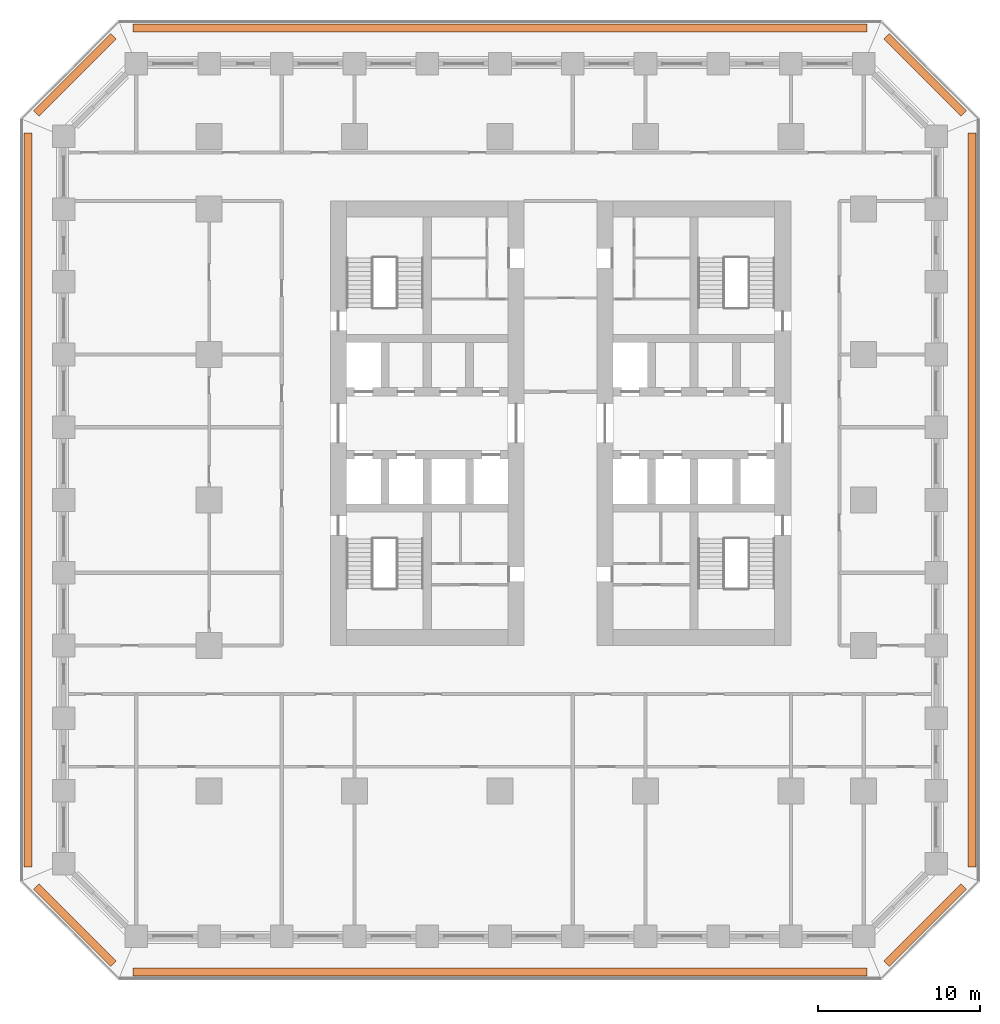
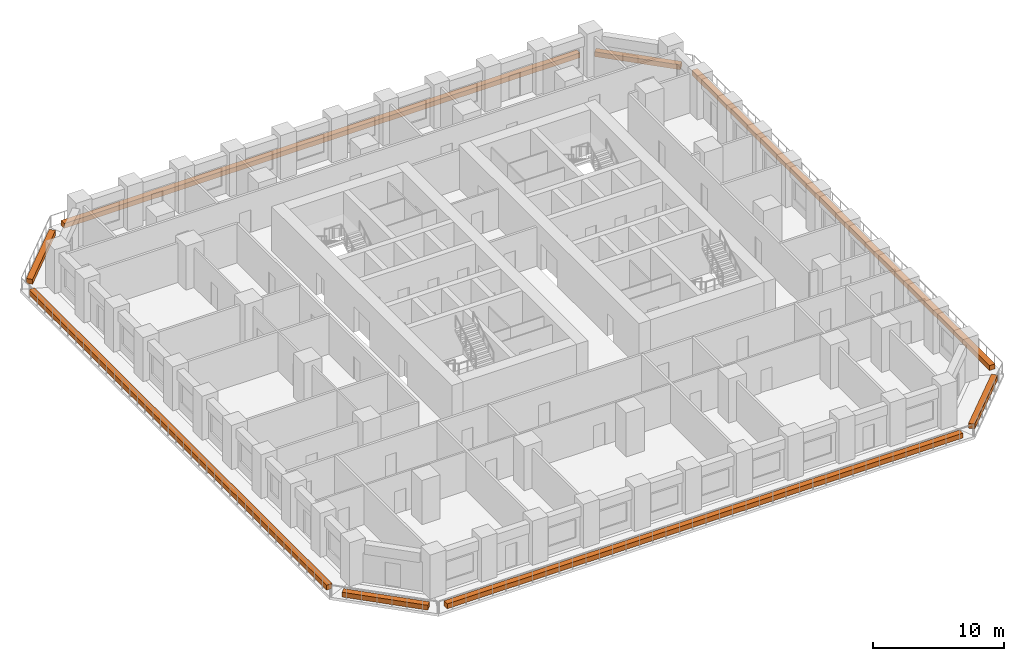
# One storey, part 12 of 12: 8 proxies.
"""IFC4 building model written with IfcOpenShell, lengths in metres."""

import ifcopenshell
import ifcopenshell.guid

model = None  # the IFC model being written
_history = None  # IfcOwnerHistory: only IFC2X3 demands one
_inside = {}  # id of a spatial element -> (the spatial element, [elements in it])
_under = {}  # id of a project, library or spatial element -> (it, [spatial elements below it])
_declared = {}  # id of a project -> (the project, [libraries it declares])
_typed = {}  # id of a type object -> (the type object, [elements of that type])
_made_of = {}  # id of a material, layer set ... -> (it, [elements and type objects made of it])


def new_model(schema):
    """Start an empty IFC model of exactly this schema.

    Asked for "IFC4X3", IfcOpenShell would pick the latest addendum, in which some entities
    have other attributes; the version numbers below select the first issue.
    IFC2X3 requires an IfcOwnerHistory on every rooted entity: one is made here for all.
    """
    global model, _history
    if schema == "IFC4X3":
        model = ifcopenshell.file(schema_version=(4, 3, 0, 0))
    else:
        model = ifcopenshell.file(schema=schema)
    _inside.clear()
    _under.clear()
    _declared.clear()
    _typed.clear()
    _made_of.clear()
    _history = None
    if model.schema == "IFC2X3":
        org = make("IfcOrganization", Name="unknown")
        user = make(
            "IfcPersonAndOrganization",
            ThePerson=make("IfcPerson", FamilyName="unknown"),
            TheOrganization=org,
        )
        app = make(
            "IfcApplication",
            ApplicationDeveloper=org,
            Version="unknown",
            ApplicationFullName="unknown",
            ApplicationIdentifier="unknown",
        )
        _history = make(
            "IfcOwnerHistory",
            OwningUser=user,
            OwningApplication=app,
            ChangeAction="ADDED",
            CreationDate=0,
        )
    return model


def make(cls, **values):
    """One entity of the class cls with the attributes given. An attribute that is None is left unset."""
    return model.create_entity(
        cls, **{name: value for name, value in values.items() if value is not None}
    )


def rooted(cls, **values):
    """An entity with a GlobalId (a new one), such as an element, a storey or a relation."""
    return make(cls, GlobalId=ifcopenshell.guid.new(), OwnerHistory=_history, **values)


def si_unit(unit_type, name, prefix=None):
    """IfcSIUnit, for example si_unit("LENGTHUNIT", "METRE", prefix="MILLI")."""
    return make("IfcSIUnit", UnitType=unit_type, Prefix=prefix, Name=name)


def assignment(units):
    """IfcUnitAssignment: the units of a project."""
    return None if units is None else make("IfcUnitAssignment", Units=units)


def point(xyz):
    """IfcCartesianPoint."""
    return None if xyz is None else make("IfcCartesianPoint", Coordinates=xyz)


def direction(xyz):
    """IfcDirection."""
    return None if xyz is None else make("IfcDirection", DirectionRatios=xyz)


def frame(location, z_axis=None, x_axis=None):
    """IfcAxis2Placement3D, a coordinate frame: its origin and axes. An axis left out is left unset."""
    return make(
        "IfcAxis2Placement3D",
        Location=point(location),
        Axis=direction(z_axis),
        RefDirection=direction(x_axis),
    )


def frame_2d(location, x_axis=None):
    """IfcAxis2Placement2D, a coordinate frame in the plane: its origin and x axis."""
    return make(
        "IfcAxis2Placement2D", Location=point(location), RefDirection=direction(x_axis)
    )


def origin():
    """The frame at (0, 0, 0) with its axes left unset."""
    return frame((0.0, 0.0, 0.0))


def origin_2d():
    """The frame at (0, 0) in the plane with its x axis left unset."""
    return frame_2d((0.0, 0.0))


def place(relative_to, where):
    """IfcLocalPlacement: puts the frame where relative to a parent placement (None: the world)."""
    return make(
        "IfcLocalPlacement", PlacementRelTo=relative_to, RelativePlacement=where
    )


def context(
    kind, dimensions, precision=None, world=None, true_north=None, identifier=None
):
    """IfcGeometricRepresentationContext, for example the 3D "Model" context."""
    return make(
        "IfcGeometricRepresentationContext",
        ContextIdentifier=identifier,
        ContextType=kind,
        CoordinateSpaceDimension=dimensions,
        Precision=precision,
        WorldCoordinateSystem=world,
        TrueNorth=true_north,
    )


def subcontext(parent, identifier, kind, view, scale=None):
    """IfcGeometricRepresentationSubContext, for example "Body" below "Model"."""
    return make(
        "IfcGeometricRepresentationSubContext",
        ContextIdentifier=identifier,
        ContextType=kind,
        ParentContext=parent,
        TargetScale=scale,
        TargetView=view,
    )


def project(units=None, contexts=None):
    """IfcProject with its units and contexts."""
    return rooted(
        "IfcProject",
        Name="project",
        RepresentationContexts=contexts,
        UnitsInContext=assignment(units),
    )


def spatial(cls, under=None, at=None, **own):
    """A site, building, storey or space (cls), placed at a placement, below another one or the project."""
    s = rooted(cls, ObjectPlacement=at, **own)
    if under is not None:
        _under.setdefault(under.id(), (under, []))[1].append(s)
    return s


def profile(cls, at=None, kind="AREA", **sizes):
    """A parametric profile (cls). Its sizes go by their IFC names, for example OverallWidth=200.0."""
    return make(cls, ProfileType=kind, Position=at, **sizes)


def rectangle(**sizes):
    """IfcRectangleProfileDef."""
    return profile("IfcRectangleProfileDef", **sizes)


def extrude(swept, where, along, depth):
    """IfcExtrudedAreaSolid: the profile swept, set in the frame where, extruded along a direction by depth."""
    return make(
        "IfcExtrudedAreaSolid",
        SweptArea=swept,
        Position=where,
        ExtrudedDirection=direction(along),
        Depth=depth,
    )


def shape(context_of_items, identifier, shape_type, items):
    """IfcShapeRepresentation: the items that make up one representation, for example the "Body"."""
    return make(
        "IfcShapeRepresentation",
        ContextOfItems=context_of_items,
        RepresentationIdentifier=identifier,
        RepresentationType=shape_type,
        Items=items,
    )


def material(Name=None, Category=None):
    """IfcMaterial."""
    return make("IfcMaterial", Name=Name, Category=Category)


def made_of(thing, what):
    """Note that an element or type object is made of a material, layer set ...; save() writes the relation."""
    if what is not None:
        _made_of.setdefault(what.id(), (what, []))[1].append(thing)
    return thing


def type_object(cls, material=None, **own):
    """A type object (cls), such as IfcWallType, which elements share."""
    return made_of(rooted(cls, **own), material)


def element(
    cls,
    number,
    at=None,
    inside=None,
    cuts=None,
    type_object=None,
    material=None,
    context=None,
    identifier="Body",
    shape_type=None,
    held_by="IfcProductDefinitionShape",
    body=None,
    shapes=None,
    **own,
):
    """One element of the class cls, such as IfcWall. Its Tag is "e" and its number.

    at: its placement. inside: the storey or other place that contains it. cuts: it is an
    opening in that element (IfcRelVoidsElement). A single representation is given by context,
    identifier, shape_type and body (its items); several are given by shapes. held_by: the class
    of the entity that holds the representations. save() writes the other relations.
    """
    e = rooted(cls, Tag="e%d" % number, ObjectPlacement=at, **own)
    if body is not None:
        shapes = [shape(context, identifier, shape_type, body)]
    if shapes is not None:
        e.Representation = make(held_by, Representations=shapes)
    if inside is not None:
        _inside.setdefault(inside.id(), (inside, []))[1].append(e)
    if cuts is not None:
        rooted(
            "IfcRelVoidsElement", RelatingBuildingElement=cuts, RelatedOpeningElement=e
        )
    if type_object is not None:
        _typed.setdefault(type_object.id(), (type_object, []))[1].append(e)
    return made_of(e, material)


def aggregate(whole, parts):
    """IfcRelAggregates: a whole, such as a stair, and the parts it consists of."""
    return rooted("IfcRelAggregates", RelatingObject=whole, RelatedObjects=parts)


def save(model, path):
    """Write the relations noted so far, then the file.

    IfcRelAggregates (storeys below a building ...), IfcRelContainedInSpatialStructure (elements
    in a storey), IfcRelDefinesByType, IfcRelAssociatesMaterial and IfcRelDeclares: one each for
    every whole, place, type object, material and project.
    """
    for whole, parts in _under.values():
        aggregate(whole, parts)
    for where, things in _inside.values():
        rooted(
            "IfcRelContainedInSpatialStructure",
            RelatedElements=things,
            RelatingStructure=where,
        )
    for kind, things in _typed.values():
        rooted("IfcRelDefinesByType", RelatedObjects=things, RelatingType=kind)
    for what, things in _made_of.values():
        rooted("IfcRelAssociatesMaterial", RelatedObjects=things, RelatingMaterial=what)
    for by, libraries in _declared.values():
        rooted("IfcRelDeclares", RelatingContext=by, RelatedDefinitions=libraries)
    model.write(path)


model = new_model("IFC4")

# Units and contexts
model_context = context("Model", 3, precision=1e-05, world=origin(), true_north=direction((0.0, 1.0)))
body_context = subcontext(model_context, "Body", "Model", "MODEL_VIEW")
ifc_project = project(units=[si_unit("LENGTHUNIT", "METRE"), si_unit("AREAUNIT", "SQUARE_METRE"), si_unit("VOLUMEUNIT", "CUBIC_METRE"), si_unit("PLANEANGLEUNIT", "RADIAN"), si_unit("MASSUNIT", "GRAM", prefix="KILO")], contexts=[model_context])

# Site, building, storey
site_placement = place(None, origin())
site = spatial("IfcSite", under=ifc_project, at=site_placement, CompositionType="ELEMENT")
building_placement = place(site_placement, origin())
building = spatial("IfcBuilding", under=site, at=building_placement, Name="Corbel Stack Research Tower", CompositionType="ELEMENT")
storey_placement = place(building_placement, frame((0.0, 0.0, 27.699951171875)))
storey = spatial("IfcBuildingStorey", under=building, at=storey_placement, Name="L06", CompositionType="ELEMENT", Elevation=27.699951171875)

# Proxies
ifc_material = material(Name="Concrete C45/55", Category="concrete")
building_element_proxy_type = type_object("IfcBuildingElementProxyType", Name="Planter box", PredefinedType="USERDEFINED", material=ifc_material)
proxy_1_placement = place(storey_placement, frame((0.0, -29.199951171875, 0.0), z_axis=(0.0, 0.0, 1.0), x_axis=(1.0, 0.0, 0.0)))
element("IfcBuildingElementProxy", 1, at=proxy_1_placement, inside=storey, type_object=building_element_proxy_type, Name="Planter L06 S", ObjectType="PLANTER", PredefinedType="USERDEFINED", context=body_context, shape_type="SweptSolid", body=[
    extrude(rectangle(XDim=45.41064453125, YDim=0.5, at=origin_2d()), origin(), (0.0, 0.0, 1.0), 0.449951171875),
])
proxy_2_placement = place(storey_placement, frame((26.3056640625, -26.3056640625, 0.0), z_axis=(0.0, 0.0, 1.0), x_axis=(0.707106781187, 0.707106781187, 0.0)))
element("IfcBuildingElementProxy", 2, at=proxy_2_placement, inside=storey, type_object=building_element_proxy_type, Name="Planter L06 SE", ObjectType="PLANTER", PredefinedType="USERDEFINED", context=body_context, shape_type="SweptSolid", body=[
    extrude(rectangle(XDim=6.774658203125, YDim=0.5, at=origin_2d()), origin(), (0.0, 0.0, 1.0), 0.449951171875),
])
proxy_3_placement = place(storey_placement, frame((29.199951171875, 0.0, 0.0), z_axis=(0.0, 0.0, 1.0), x_axis=(0.0, 1.0, 0.0)))
element("IfcBuildingElementProxy", 3, at=proxy_3_placement, inside=storey, type_object=building_element_proxy_type, Name="Planter L06 E", ObjectType="PLANTER", PredefinedType="USERDEFINED", context=body_context, shape_type="SweptSolid", body=[
    extrude(rectangle(XDim=45.41064453125, YDim=0.5, at=origin_2d()), origin(), (0.0, 0.0, 1.0), 0.449951171875),
])
proxy_4_placement = place(storey_placement, frame((26.3056640625, 26.3056640625, 0.0), z_axis=(0.0, 0.0, 1.0), x_axis=(-0.707106781187, 0.707106781187, 0.0)))
element("IfcBuildingElementProxy", 4, at=proxy_4_placement, inside=storey, type_object=building_element_proxy_type, Name="Planter L06 NE", ObjectType="PLANTER", PredefinedType="USERDEFINED", context=body_context, shape_type="SweptSolid", body=[
    extrude(rectangle(XDim=6.774658203125, YDim=0.5, at=origin_2d()), origin(), (0.0, 0.0, 1.0), 0.449951171875),
])
proxy_5_placement = place(storey_placement, frame((0.0, 29.199951171875, 0.0), z_axis=(0.0, 0.0, 1.0), x_axis=(-1.0, 0.0, 0.0)))
element("IfcBuildingElementProxy", 5, at=proxy_5_placement, inside=storey, type_object=building_element_proxy_type, Name="Planter L06 N", ObjectType="PLANTER", PredefinedType="USERDEFINED", context=body_context, shape_type="SweptSolid", body=[
    extrude(rectangle(XDim=45.41064453125, YDim=0.5, at=origin_2d()), origin(), (0.0, 0.0, 1.0), 0.449951171875),
])
proxy_6_placement = place(storey_placement, frame((-26.3056640625, 26.3056640625, 0.0), z_axis=(0.0, 0.0, 1.0), x_axis=(-0.707106781187, -0.707106781187, 0.0)))
element("IfcBuildingElementProxy", 6, at=proxy_6_placement, inside=storey, type_object=building_element_proxy_type, Name="Planter L06 NW", ObjectType="PLANTER", PredefinedType="USERDEFINED", context=body_context, shape_type="SweptSolid", body=[
    extrude(rectangle(XDim=6.774658203125, YDim=0.5, at=origin_2d()), origin(), (0.0, 0.0, 1.0), 0.449951171875),
])
proxy_7_placement = place(storey_placement, frame((-29.199951171875, 0.0, 0.0), z_axis=(0.0, 0.0, 1.0), x_axis=(0.0, -1.0, 0.0)))
element("IfcBuildingElementProxy", 7, at=proxy_7_placement, inside=storey, type_object=building_element_proxy_type, Name="Planter L06 W", ObjectType="PLANTER", PredefinedType="USERDEFINED", context=body_context, shape_type="SweptSolid", body=[
    extrude(rectangle(XDim=45.41064453125, YDim=0.5, at=origin_2d()), origin(), (0.0, 0.0, 1.0), 0.449951171875),
])
proxy_8_placement = place(storey_placement, frame((-26.3056640625, -26.3056640625, 0.0), z_axis=(0.0, 0.0, 1.0), x_axis=(0.707106781187, -0.707106781187, 0.0)))
element("IfcBuildingElementProxy", 8, at=proxy_8_placement, inside=storey, type_object=building_element_proxy_type, Name="Planter L06 SW", ObjectType="PLANTER", PredefinedType="USERDEFINED", context=body_context, shape_type="SweptSolid", body=[
    extrude(rectangle(XDim=6.774658203125, YDim=0.5, at=origin_2d()), origin(), (0.0, 0.0, 1.0), 0.449951171875),
])

save(model, "model.ifc")
